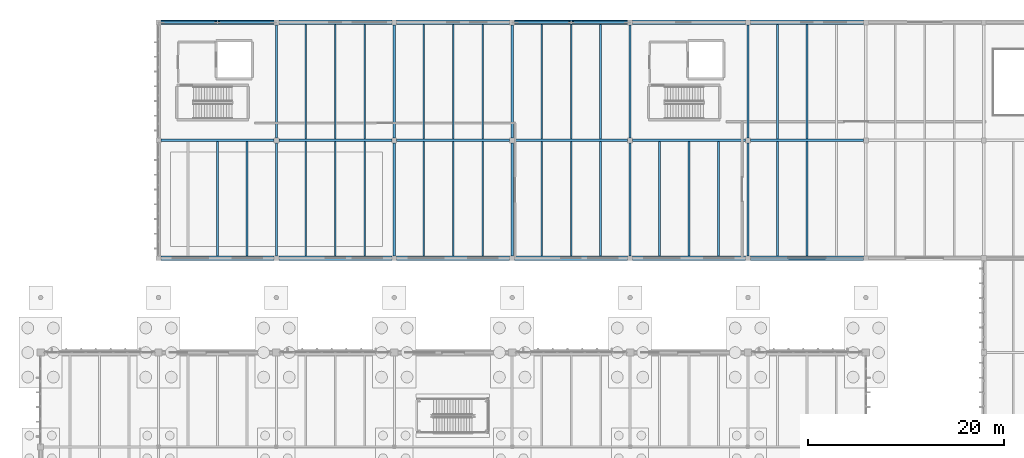
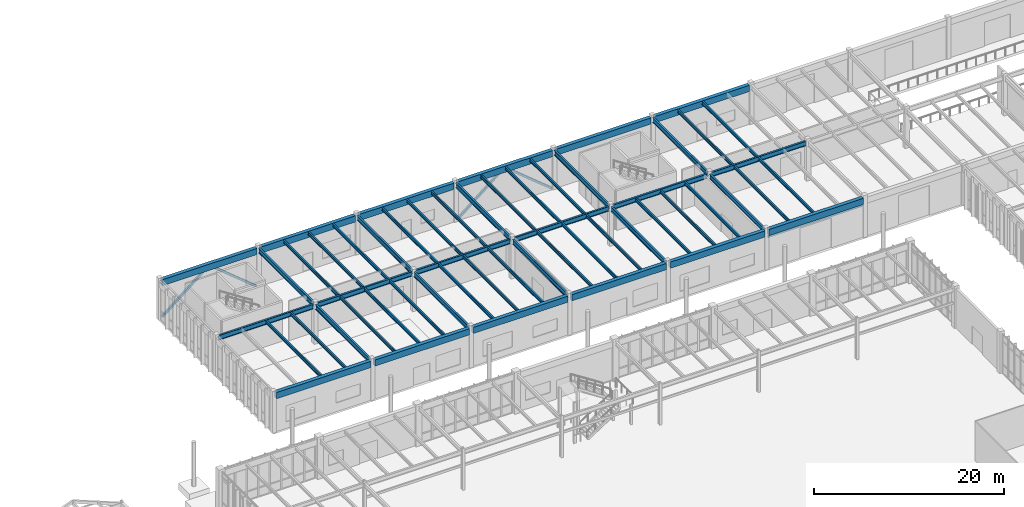
# One storey, part 83 of 188: 56 beams, 4 members.
"""IFC4 building model written with IfcOpenShell, lengths in metres."""

from ifc_helpers import new_model, si_unit, direction, frame, origin, origin_2d, place, context, subcontext, project, spatial, rectangle, hollow_rectangle, i_section, extrude, material, material_profile, profile_set, type_object, element, save


model = new_model("IFC4")

# Units and contexts
model_context = context("Model", 3, precision=1e-05, world=origin(), true_north=direction((0.0, 1.0)))
body_context = subcontext(model_context, "Body", "Model", "MODEL_VIEW")
ifc_project = project(units=[si_unit("LENGTHUNIT", "METRE"), si_unit("AREAUNIT", "SQUARE_METRE"), si_unit("VOLUMEUNIT", "CUBIC_METRE"), si_unit("PLANEANGLEUNIT", "RADIAN"), si_unit("MASSUNIT", "GRAM", prefix="KILO")], contexts=[model_context])

# Site, building, storey
site_placement = place(None, origin())
site = spatial("IfcSite", under=ifc_project, at=site_placement, CompositionType="ELEMENT")
building_placement = place(site_placement, origin())
building = spatial("IfcBuilding", under=site, at=building_placement, Name="Pandanus Reach Market Hall", CompositionType="ELEMENT")
storey_placement = place(building_placement, origin())
storey = spatial("IfcBuildingStorey", under=building, at=storey_placement, Name="L00", CompositionType="ELEMENT", Elevation=0.0)

# Beams
ifc_material_1 = material(Name="Concrete N40 (40 MPa)", Category="concrete")
ifc_material_profile_1 = material_profile(ifc_material_1, rectangle(XDim=0.449951171875, YDim=0.800048828125, at=origin_2d()), Name="RC450x800", Category="LoadBearing")
ifc_profile_set_1 = profile_set([ifc_material_profile_1], Name="Concrete N40 (40 MPa)")
beam_type_1 = type_object("IfcBeamType", Name="BM-RC450-E", PredefinedType="SPANDREL", material=ifc_profile_set_1)
for number, where, z_axis, x_axis, name in (
    (1, (60.248046875, 96.0, 4.68505859375), (1.0, 0.0, 0.0), (0.0, 1.0, 0.0), "Framing beam BM-RC450-E L00.756"),
    (2, (72.248046875, 96.0, 4.68505859375), (1.0, 0.0, 0.0), (0.0, 1.0, 0.0), "Framing beam BM-RC450-E L00.757"),
    (3, (84.248046875, 96.0, 4.68505859375), (1.0, 0.0, 0.0), (0.0, 1.0, 0.0), "Framing beam BM-RC450-E L00.758"),
    (4, (96.248046875, 96.0, 4.68505859375), (1.0, 0.0, 0.0), (0.0, 1.0, 0.0), "Framing beam BM-RC450-E L00.759"),
    (5, (108.248046875, 96.0, 4.68505859375), (1.0, 0.0, 0.0), (0.0, 1.0, 0.0), "Framing beam BM-RC450-E L00.760"),
    (6, (120.248046875, 96.0, 4.68505859375), (1.0, 0.0, 0.0), (0.0, 1.0, 0.0), "Framing beam BM-RC450-E L00.761"),
    (7, (60.248046875, 120.0, 4.68505859375), (1.0, 0.0, 0.0), (0.0, 1.0, 0.0), "Framing beam BM-RC450-E L00.773"),
    (8, (72.248046875, 120.0, 4.68505859375), (1.0, 0.0, 0.0), (0.0, 1.0, 0.0), "Framing beam BM-RC450-E L00.774"),
    (9, (84.248046875, 120.0, 4.68505859375), (1.0, 0.0, 0.0), (0.0, 1.0, 0.0), "Framing beam BM-RC450-E L00.775"),
    (10, (96.248046875, 120.0, 4.68505859375), (1.0, 0.0, 0.0), (0.0, 1.0, 0.0), "Framing beam BM-RC450-E L00.776"),
    (11, (108.248046875, 120.0, 4.68505859375), (1.0, 0.0, 0.0), (0.0, 1.0, 0.0), "Framing beam BM-RC450-E L00.777"),
    (12, (120.248046875, 120.0, 4.68505859375), (1.0, 0.0, 0.0), (0.0, 1.0, 0.0), "Framing beam BM-RC450-E L00.778"),
):
    element("IfcBeam", number, at=place(storey_placement, frame(where, z_axis=z_axis, x_axis=x_axis)), inside=storey, type_object=beam_type_1, Name=name, PredefinedType="SPANDREL", context=body_context, shape_type="SweptSolid", body=[
        extrude(rectangle(XDim=0.449951171875, YDim=0.800048828125, at=origin_2d()), origin(), (0.0, 0.0, 1.0), 11.50390625),
    ])
ifc_material_2 = material(Name="Steel Grade 350 (350 MPa)", Category="steel")
ifc_material_profile_2 = material_profile(ifc_material_2, i_section(OverallWidth=0.22900390625, OverallDepth=0.612060546875, WebThickness=0.011962890625, FlangeThickness=0.01953125, at=origin_2d()), Name="610UB125", Category="LoadBearing")
ifc_profile_set_2 = profile_set([ifc_material_profile_2], Name="Steel Grade 350 (350 MPa)")
beam_type_2 = type_object("IfcBeamType", Name="BM-UB610-I", PredefinedType="BEAM", material=ifc_profile_set_2)
for number, where, z_axis, x_axis, name in (
    (13, (60.248046875, 108.0, 4.778564453125), (1.0, 0.0, 0.0), (0.0, 1.0, 0.0), "Framing beam BM-UB610-I L00.763"),
    (14, (72.248046875, 108.0, 4.778564453125), (1.0, 0.0, 0.0), (0.0, 1.0, 0.0), "Framing beam BM-UB610-I L00.764"),
    (15, (84.248046875, 108.0, 4.778564453125), (1.0, 0.0, 0.0), (0.0, 1.0, 0.0), "Framing beam BM-UB610-I L00.765"),
    (16, (96.248046875, 108.0, 4.778564453125), (1.0, 0.0, 0.0), (0.0, 1.0, 0.0), "Framing beam BM-UB610-I L00.766"),
    (17, (108.248046875, 108.0, 4.778564453125), (1.0, 0.0, 0.0), (0.0, 1.0, 0.0), "Framing beam BM-UB610-I L00.767"),
    (18, (120.248046875, 108.0, 4.778564453125), (1.0, 0.0, 0.0), (0.0, 1.0, 0.0), "Framing beam BM-UB610-I L00.768"),
    (19, (72.0, 96.248046875, 4.778564453125), (0.0, 1.0, 0.0), (-1.0, 0.0, 0.0), "Framing beam BM-UB610-I L00.785"),
    (20, (72.0, 108.248046875, 4.778564453125), (0.0, 1.0, 0.0), (-1.0, 0.0, 0.0), "Framing beam BM-UB610-I L00.786"),
    (21, (84.0, 96.248046875, 4.778564453125), (0.0, 1.0, 0.0), (-1.0, 0.0, 0.0), "Framing beam BM-UB610-I L00.787"),
    (22, (84.0, 108.248046875, 4.778564453125), (0.0, 1.0, 0.0), (-1.0, 0.0, 0.0), "Framing beam BM-UB610-I L00.788"),
    (23, (96.0, 96.248046875, 4.778564453125), (0.0, 1.0, 0.0), (-1.0, 0.0, 0.0), "Framing beam BM-UB610-I L00.789"),
    (24, (96.0, 108.248046875, 4.778564453125), (0.0, 1.0, 0.0), (-1.0, 0.0, 0.0), "Framing beam BM-UB610-I L00.790"),
    (25, (108.0, 96.248046875, 4.778564453125), (0.0, 1.0, 0.0), (-1.0, 0.0, 0.0), "Framing beam BM-UB610-I L00.791"),
    (26, (108.0, 108.248046875, 4.778564453125), (0.0, 1.0, 0.0), (-1.0, 0.0, 0.0), "Framing beam BM-UB610-I L00.792"),
    (27, (120.0, 96.248046875, 4.778564453125), (0.0, 1.0, 0.0), (-1.0, 0.0, 0.0), "Framing beam BM-UB610-I L00.793"),
    (28, (120.0, 108.248046875, 4.778564453125), (0.0, 1.0, 0.0), (-1.0, 0.0, 0.0), "Framing beam BM-UB610-I L00.794"),
):
    element("IfcBeam", number, at=place(storey_placement, frame(where, z_axis=z_axis, x_axis=x_axis)), inside=storey, type_object=beam_type_2, Name=name, PredefinedType="BEAM", context=body_context, shape_type="SweptSolid", body=[
        extrude(i_section(OverallWidth=0.22900390625, OverallDepth=0.612060546875, WebThickness=0.011962890625, FlangeThickness=0.01953125, at=origin_2d()), origin(), (0.0, 0.0, 1.0), 11.50390625),
    ])

# Members
ifc_material_profile_3 = material_profile(ifc_material_2, hollow_rectangle(XDim=0.25, YDim=0.25, WallThickness=0.010009765625, at=origin_2d()), Name="250x250x10.0SHS", Category="LoadBearing")
ifc_profile_set_3 = profile_set([ifc_material_profile_3], Name="Steel Grade 350 (350 MPa)")
member_type = type_object("IfcMemberType", Name="BR-SHS250-E", PredefinedType="BRACE", material=ifc_profile_set_3)
for number, where, z_axis, x_axis, name in (
    (29, (60.2900390625, 120.0, 0.14990234375), (0.773895220325, 0.0, 0.633313656854), (0.0, 1.0, 0.0), "Chevron brace BR-SHS250-E 5A"),
    (30, (71.7099609375, 120.0, 0.14990234375), (-0.773895220325, 0.0, 0.633313656854), (0.0, -1.0, 0.0), "Chevron brace BR-SHS250-E 5B"),
    (31, (96.2900390625, 120.0, 0.14990234375), (0.773895220325, 0.0, 0.633313656854), (0.0, 1.0, 0.0), "Chevron brace BR-SHS250-E 6A"),
    (32, (107.7099609375, 120.0, 0.14990234375), (-0.773895220325, 0.0, 0.633313656854), (0.0, -1.0, 0.0), "Chevron brace BR-SHS250-E 6B"),
):
    element("IfcMember", number, at=place(storey_placement, frame(where, z_axis=z_axis, x_axis=x_axis)), inside=storey, type_object=member_type, Name=name, PredefinedType="BRACE", context=body_context, shape_type="SweptSolid", body=[
        extrude(hollow_rectangle(XDim=0.25, YDim=0.25, WallThickness=0.010009765625, at=origin_2d()), origin(), (0.0, 0.0, 1.0), 7.1845703125),
    ])

# Beams
ifc_material_profile_4 = material_profile(ifc_material_2, i_section(OverallWidth=0.177978515625, OverallDepth=0.406005859375, WebThickness=0.0078125, FlangeThickness=0.0126953125, at=origin_2d()), Name="410UB59.7", Category="LoadBearing")
ifc_profile_set_4 = profile_set([ifc_material_profile_4], Name="Steel Grade 350 (350 MPa)")
beam_type_3 = type_object("IfcBeamType", Name="JS-UB410-I", PredefinedType="JOIST", material=ifc_profile_set_4)
for number, where, z_axis, x_axis, name in (
    (33, (66.0, 96.222900390625, 4.881591796875), (0.0, 1.0, 0.0), (-1.0, 0.0, 0.0), "Secondary joist JS-UB410-I L00.804"),
    (34, (69.0, 96.222900390625, 4.881591796875), (0.0, 1.0, 0.0), (-1.0, 0.0, 0.0), "Secondary joist JS-UB410-I L00.805"),
    (35, (75.0, 96.222900390625, 4.881591796875), (0.0, 1.0, 0.0), (-1.0, 0.0, 0.0), "Secondary joist JS-UB410-I L00.806"),
    (36, (78.0, 96.222900390625, 4.881591796875), (0.0, 1.0, 0.0), (-1.0, 0.0, 0.0), "Secondary joist JS-UB410-I L00.807"),
    (37, (81.0, 96.222900390625, 4.881591796875), (0.0, 1.0, 0.0), (-1.0, 0.0, 0.0), "Secondary joist JS-UB410-I L00.808"),
    (38, (75.0, 108.112548828125, 4.881591796875), (0.0, 1.0, 0.0), (-1.0, 0.0, 0.0), "Secondary joist JS-UB410-I L00.809"),
    (39, (78.0, 108.112548828125, 4.881591796875), (0.0, 1.0, 0.0), (-1.0, 0.0, 0.0), "Secondary joist JS-UB410-I L00.810"),
    (40, (81.0, 108.112548828125, 4.881591796875), (0.0, 1.0, 0.0), (-1.0, 0.0, 0.0), "Secondary joist JS-UB410-I L00.811"),
    (41, (87.0, 96.222900390625, 4.881591796875), (0.0, 1.0, 0.0), (-1.0, 0.0, 0.0), "Secondary joist JS-UB410-I L00.812"),
    (42, (90.0, 96.222900390625, 4.881591796875), (0.0, 1.0, 0.0), (-1.0, 0.0, 0.0), "Secondary joist JS-UB410-I L00.813"),
    (43, (93.0, 96.222900390625, 4.881591796875), (0.0, 1.0, 0.0), (-1.0, 0.0, 0.0), "Secondary joist JS-UB410-I L00.814"),
    (44, (87.0, 108.112548828125, 4.881591796875), (0.0, 1.0, 0.0), (-1.0, 0.0, 0.0), "Secondary joist JS-UB410-I L00.815"),
    (45, (90.0, 108.112548828125, 4.881591796875), (0.0, 1.0, 0.0), (-1.0, 0.0, 0.0), "Secondary joist JS-UB410-I L00.816"),
    (46, (93.0, 108.112548828125, 4.881591796875), (0.0, 1.0, 0.0), (-1.0, 0.0, 0.0), "Secondary joist JS-UB410-I L00.817"),
    (47, (99.0, 96.222900390625, 4.881591796875), (0.0, 1.0, 0.0), (-1.0, 0.0, 0.0), "Secondary joist JS-UB410-I L00.818"),
    (48, (102.0, 96.222900390625, 4.881591796875), (0.0, 1.0, 0.0), (-1.0, 0.0, 0.0), "Secondary joist JS-UB410-I L00.819"),
    (49, (105.0, 96.222900390625, 4.881591796875), (0.0, 1.0, 0.0), (-1.0, 0.0, 0.0), "Secondary joist JS-UB410-I L00.820"),
    (50, (99.0, 108.112548828125, 4.881591796875), (0.0, 1.0, 0.0), (-1.0, 0.0, 0.0), "Secondary joist JS-UB410-I L00.821"),
    (51, (102.0, 108.112548828125, 4.881591796875), (0.0, 1.0, 0.0), (-1.0, 0.0, 0.0), "Secondary joist JS-UB410-I L00.822"),
    (52, (105.0, 108.112548828125, 4.881591796875), (0.0, 1.0, 0.0), (-1.0, 0.0, 0.0), "Secondary joist JS-UB410-I L00.823"),
    (53, (111.0, 96.222900390625, 4.881591796875), (0.0, 1.0, 0.0), (-1.0, 0.0, 0.0), "Secondary joist JS-UB410-I L00.824"),
    (54, (114.0, 96.222900390625, 4.881591796875), (0.0, 1.0, 0.0), (-1.0, 0.0, 0.0), "Secondary joist JS-UB410-I L00.825"),
    (55, (117.0, 96.222900390625, 4.881591796875), (0.0, 1.0, 0.0), (-1.0, 0.0, 0.0), "Secondary joist JS-UB410-I L00.826"),
    (56, (123.0, 96.222900390625, 4.881591796875), (0.0, 1.0, 0.0), (-1.0, 0.0, 0.0), "Secondary joist JS-UB410-I L00.827"),
    (57, (126.0, 96.222900390625, 4.881591796875), (0.0, 1.0, 0.0), (-1.0, 0.0, 0.0), "Secondary joist JS-UB410-I L00.828"),
    (58, (123.0, 108.112548828125, 4.881591796875), (0.0, 1.0, 0.0), (-1.0, 0.0, 0.0), "Secondary joist JS-UB410-I L00.830"),
    (59, (126.0, 108.112548828125, 4.881591796875), (0.0, 1.0, 0.0), (-1.0, 0.0, 0.0), "Secondary joist JS-UB410-I L00.831"),
):
    element("IfcBeam", number, at=place(storey_placement, frame(where, z_axis=z_axis, x_axis=x_axis)), inside=storey, type_object=beam_type_3, Name=name, PredefinedType="JOIST", context=body_context, shape_type="SweptSolid", body=[
        extrude(i_section(OverallWidth=0.177978515625, OverallDepth=0.406005859375, WebThickness=0.0078125, FlangeThickness=0.0126953125, at=origin_2d()), origin(), (0.0, 0.0, 1.0), 11.66455078125),
    ])
ifc_material_profile_5 = material_profile(ifc_material_2, hollow_rectangle(XDim=0.14990234375, YDim=0.25, WallThickness=0.009033203125, at=origin_2d()), Name="250x150x9.0RHS", Category="LoadBearing")
ifc_profile_set_5 = profile_set([ifc_material_profile_5], Name="Steel Grade 350 (350 MPa)")
beam_type_4 = type_object("IfcBeamType", Name="LN-RHS250-E", PredefinedType="LINTEL", material=ifc_profile_set_5)
beam_placement = place(storey_placement, frame((120.248046875, 96.0, 4.050048828125), z_axis=(1.0, 0.0, 0.0), x_axis=(0.0, 1.0, 0.0)))
element("IfcBeam", 60, at=beam_placement, inside=storey, type_object=beam_type_4, Name="Dock opening lintel 1", PredefinedType="LINTEL", context=body_context, shape_type="SweptSolid", body=[
    extrude(hollow_rectangle(XDim=0.14990234375, YDim=0.25, WallThickness=0.009033203125, at=origin_2d()), origin(), (0.0, 0.0, 1.0), 11.50390625),
])

save(model, "model.ifc")
